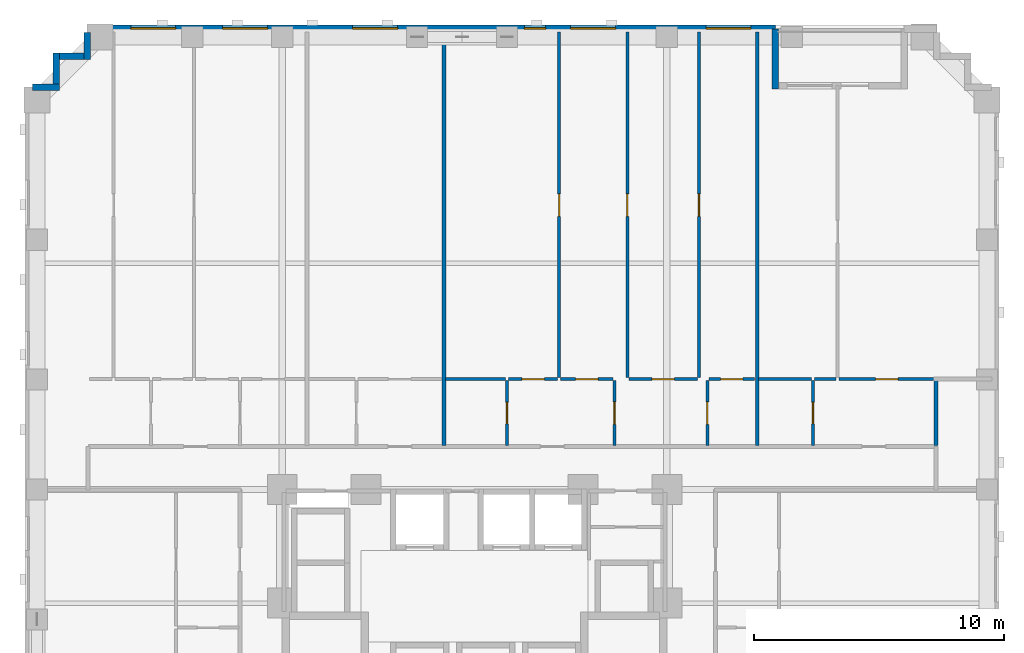
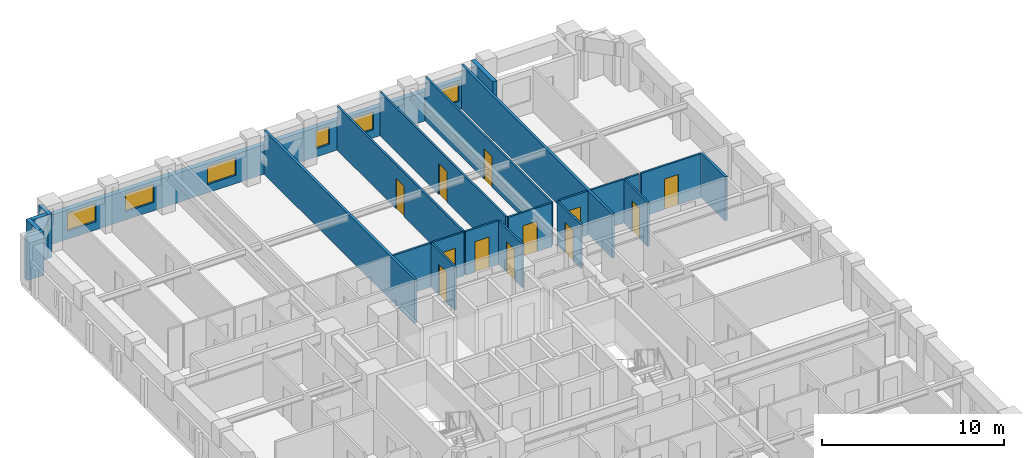
# One storey, part 8 of 14: 24 walls, 12 doors, 6 windows, 18 openings.
"""IFC4 building model written with IfcOpenShell, lengths in metres."""

from ifc_helpers import new_model, si_unit, derived_unit, direction, frame, frame_2d, origin, place, context, subcontext, project, spatial, rectangle, extrude, material, layer, layer_set, type_object, element, fill, save


model = new_model("IFC4")

# Units and contexts
model_context = context("Model", 3, precision=1e-05, world=origin(), true_north=direction((0.0, 1.0)))
body_context = subcontext(model_context, "Body", "Model", "MODEL_VIEW")
ifc_project = project(units=[si_unit("LENGTHUNIT", "METRE"), si_unit("AREAUNIT", "SQUARE_METRE"), si_unit("VOLUMEUNIT", "CUBIC_METRE"), si_unit("PLANEANGLEUNIT", "RADIAN"), si_unit("MASSUNIT", "GRAM", prefix="KILO"), derived_unit("THERMALTRANSMITTANCEUNIT", [(si_unit("MASSUNIT", "GRAM", prefix="KILO"), 1), (si_unit("TIMEUNIT", "SECOND"), -3), (si_unit("THERMODYNAMICTEMPERATUREUNIT", "KELVIN"), -1)])], contexts=[model_context])

# Site, building, storey
site_placement = place(None, origin())
site = spatial("IfcSite", under=ifc_project, at=site_placement, CompositionType="ELEMENT")
building_placement = place(site_placement, origin())
building = spatial("IfcBuilding", under=site, at=building_placement, Name="Korrvale Station Residences", CompositionType="ELEMENT")
storey_placement = place(building_placement, frame((0.0, 0.0, 57.800048828125)))
storey = spatial("IfcBuildingStorey", under=building, at=storey_placement, Name="L15", CompositionType="ELEMENT", Elevation=57.800048828125)

# Walls
ifc_material_1 = material(Name="Precast concrete C45/55", Category="concrete")
ifc_layer_1 = layer(ifc_material_1, 0.260009765625, Name="Precast concrete C45/55")
ifc_layer_set_1 = layer_set([ifc_layer_1], Name="Precast concrete C45/55")
wall_type_1 = type_object("IfcWallType", Name="WAL-EXT-LOG260", PredefinedType="SOLIDWALL", material=ifc_layer_set_1)
wall_1_placement = place(storey_placement, frame((37.550048828125, 47.43994140625, 0.0), z_axis=(0.0, 0.0, 1.0), x_axis=(0.0, -1.0, 0.0)))
element("IfcWall", 1, at=wall_1_placement, inside=storey, type_object=wall_type_1, Name="L15 Recessed Loggia Wall BAL-L15-N1-L", PredefinedType="SOLIDWALL", context=body_context, shape_type="SweptSolid", body=[
    extrude(rectangle(XDim=2.39990234375, YDim=0.260009765625, at=frame_2d((1.199951171875, 0.0))), origin(), (0.0, 0.0, 1.0), 2.93994140625),
])
wall_2_placement = place(storey_placement, frame((7.802001953125, 45.10009765625, 0.0), z_axis=(0.0, 0.0, 1.0), x_axis=(1.0, 0.0, 0.0)))
element("IfcWall", 2, at=wall_2_placement, inside=storey, type_object=wall_type_1, Name="L15 Serrated Corner Precast Step NW-1", PredefinedType="SOLIDWALL", context=body_context, shape_type="SweptSolid", body=[
    extrude(rectangle(XDim=1.077880859375, YDim=0.260009765625, at=frame_2d((0.5390625, 0.0))), origin(), (0.0, 0.0, 1.0), 2.93994140625),
])
wall_3_placement = place(storey_placement, frame((8.75, 45.23193359375, 0.0), z_axis=(0.0, 0.0, 1.0), x_axis=(0.0, 1.0, 0.0)))
element("IfcWall", 3, at=wall_3_placement, inside=storey, type_object=wall_type_1, Name="L15 Serrated Corner Precast Step NW-2", PredefinedType="SOLIDWALL", context=body_context, shape_type="SweptSolid", body=[
    extrude(rectangle(XDim=1.248046875, YDim=0.260009765625, at=frame_2d((0.6240234375, 0.0))), origin(), (0.0, 0.0, 1.0), 2.93994140625),
])
wall_4_placement = place(storey_placement, frame((8.882080078125, 46.35009765625, 0.0), z_axis=(0.0, 0.0, 1.0), x_axis=(1.0, 0.0, 0.0)))
element("IfcWall", 4, at=wall_4_placement, inside=storey, type_object=wall_type_1, Name="L15 Serrated Corner Precast Step NW-3", PredefinedType="SOLIDWALL", context=body_context, shape_type="SweptSolid", body=[
    extrude(rectangle(XDim=0.98583984375, YDim=0.260009765625, at=frame_2d((0.492919921875, 0.0))), origin(), (0.0, 0.0, 1.0), 2.93994140625),
])
wall_5_placement = place(storey_placement, frame((10.0, 46.219970703125, 0.0), z_axis=(0.0, 0.0, 1.0), x_axis=(0.0, 1.0, 0.0)))
element("IfcWall", 5, at=wall_5_placement, inside=storey, type_object=wall_type_1, Name="L15 Serrated Corner Precast Step NW-4", PredefinedType="SOLIDWALL", context=body_context, shape_type="SweptSolid", body=[
    extrude(rectangle(XDim=1.078125, YDim=0.260009765625, at=frame_2d((0.5390625, 0.0))), origin(), (0.0, 0.0, 1.0), 2.93994140625),
])

# Wall, openings, windows
ifc_layer_2 = layer(ifc_material_1, 0.300048828125, Name="Precast concrete C45/55")
ifc_layer_set_2 = layer_set([ifc_layer_2], Name="Precast concrete C45/55")
wall_type_2 = type_object("IfcWallType", Name="WAL-EXT-PC300", PredefinedType="SOLIDWALL", material=ifc_layer_set_2)
wall_6_placement = place(storey_placement, frame((10.0, 47.449951171875, 0.0), z_axis=(0.0, 0.0, 1.0), x_axis=(1.0, 0.0, 0.0)))
wall_6 = element("IfcWall", 6, at=wall_6_placement, inside=storey, type_object=wall_type_2, Name="L15 North Exterior Precast Wall 1", PredefinedType="SOLIDWALL", context=body_context, shape_type="SweptSolid", body=[
    extrude(rectangle(XDim=27.550048828125, YDim=0.300048828125, at=frame_2d((13.77490234375, 0.0))), origin(), (0.0, 0.0, 1.0), 1.974853515625),
])
opening_1_placement = place(wall_6_placement, frame((1.735107421875, 0.0, 0.550048828125)))
opening_1 = element("IfcOpeningElement", 7, at=opening_1_placement, cuts=wall_6, Name="Opening W-09", PredefinedType="OPENING", context=body_context, shape_type="SweptSolid", body=[
    extrude(rectangle(XDim=1.800048828125, YDim=1.199951171875, at=frame_2d((0.89990234375, 0.60009765625))), frame((0.0, 0.16015625, 0.0), z_axis=(0.0, -1.0, 0.0), x_axis=(1.0, 0.0, 0.0)), (0.0, 0.0, 1.0), 0.320068359375),
])
opening_2_placement = place(wall_6_placement, frame((5.4150390625, 0.0, 0.550048828125)))
opening_2 = element("IfcOpeningElement", 8, at=opening_2_placement, cuts=wall_6, Name="Opening W-09", PredefinedType="OPENING", context=body_context, shape_type="SweptSolid", body=[
    extrude(rectangle(XDim=1.800048828125, YDim=1.199951171875, at=frame_2d((0.89990234375, 0.60009765625))), frame((0.0, 0.16015625, 0.0), z_axis=(0.0, -1.0, 0.0), x_axis=(1.0, 0.0, 0.0)), (0.0, 0.0, 1.0), 0.320068359375),
])
opening_3_placement = place(wall_6_placement, frame((10.616943359375, 0.0, 0.550048828125)))
opening_3 = element("IfcOpeningElement", 9, at=opening_3_placement, cuts=wall_6, Name="Opening W-09", PredefinedType="OPENING", context=body_context, shape_type="SweptSolid", body=[
    extrude(rectangle(XDim=1.800048828125, YDim=1.199951171875, at=frame_2d((0.89990234375, 0.60009765625))), frame((0.0, 0.16015625, 0.0), z_axis=(0.0, -1.0, 0.0), x_axis=(1.0, 0.0, 0.0)), (0.0, 0.0, 1.0), 0.320068359375),
])
opening_4_placement = place(wall_6_placement, frame((17.5, 0.0, 0.550048828125)))
opening_4 = element("IfcOpeningElement", 10, at=opening_4_placement, cuts=wall_6, Name="Opening W-11", PredefinedType="OPENING", context=body_context, shape_type="SweptSolid", body=[
    extrude(rectangle(XDim=0.85009765625, YDim=1.199951171875, at=frame_2d((0.425048828125, 0.60009765625))), frame((0.0, 0.16015625, 0.0), z_axis=(0.0, -1.0, 0.0), x_axis=(1.0, 0.0, 0.0)), (0.0, 0.0, 1.0), 0.320068359375),
])
opening_5_placement = place(wall_6_placement, frame((19.34912109375, 0.0, 0.550048828125)))
opening_5 = element("IfcOpeningElement", 11, at=opening_5_placement, cuts=wall_6, Name="Opening W-09", PredefinedType="OPENING", context=body_context, shape_type="SweptSolid", body=[
    extrude(rectangle(XDim=1.800048828125, YDim=1.199951171875, at=frame_2d((0.89990234375, 0.60009765625))), frame((0.0, 0.16015625, 0.0), z_axis=(0.0, -1.0, 0.0), x_axis=(1.0, 0.0, 0.0)), (0.0, 0.0, 1.0), 0.320068359375),
])
opening_6_placement = place(wall_6_placement, frame((24.76904296875, 0.0, 0.550048828125)))
opening_6 = element("IfcOpeningElement", 12, at=opening_6_placement, cuts=wall_6, Name="Opening W-09", PredefinedType="OPENING", context=body_context, shape_type="SweptSolid", body=[
    extrude(rectangle(XDim=1.800048828125, YDim=1.199951171875, at=frame_2d((0.89990234375, 0.60009765625))), frame((0.0, 0.16015625, 0.0), z_axis=(0.0, -1.0, 0.0), x_axis=(1.0, 0.0, 0.0)), (0.0, 0.0, 1.0), 0.320068359375),
])
ifc_material_2 = material(Name="Thermally broken aluminium frame with triple low-e glazing", Category="aluminium")
window_type_1 = type_object("IfcWindowType", Name="WIN-W09", PartitioningType="DOUBLE_PANEL_VERTICAL", PredefinedType="WINDOW", material=ifc_material_2)
window_1_placement = place(opening_1_placement, origin())
window_1 = element("IfcWindow", 13, at=window_1_placement, inside=storey, type_object=window_type_1, Name="L15 Punched Window 15", OverallHeight=1.199951171875, OverallWidth=1.800048828125, PartitioningType="DOUBLE_PANEL_VERTICAL", PredefinedType="WINDOW", context=body_context, shape_type="SweptSolid", body=[
    extrude(rectangle(XDim=1.800048828125, YDim=1.199951171875, at=frame_2d((0.89990234375, 0.60009765625))), frame((0.0, 0.030029296875, 0.0), z_axis=(0.0, -1.0, 0.0), x_axis=(1.0, 0.0, 0.0)), (0.0, 0.0, 1.0), 0.06005859375),
])
fill(opening_1, window_1)
window_2_placement = place(opening_2_placement, origin())
window_2 = element("IfcWindow", 14, at=window_2_placement, inside=storey, type_object=window_type_1, Name="L15 Punched Window 16", OverallHeight=1.199951171875, OverallWidth=1.800048828125, PartitioningType="DOUBLE_PANEL_VERTICAL", PredefinedType="WINDOW", context=body_context, shape_type="SweptSolid", body=[
    extrude(rectangle(XDim=1.800048828125, YDim=1.199951171875, at=frame_2d((0.89990234375, 0.60009765625))), frame((0.0, 0.030029296875, 0.0), z_axis=(0.0, -1.0, 0.0), x_axis=(1.0, 0.0, 0.0)), (0.0, 0.0, 1.0), 0.06005859375),
])
fill(opening_2, window_2)
window_3_placement = place(opening_3_placement, origin())
window_3 = element("IfcWindow", 15, at=window_3_placement, inside=storey, type_object=window_type_1, Name="L15 Punched Window 17", OverallHeight=1.199951171875, OverallWidth=1.800048828125, PartitioningType="DOUBLE_PANEL_VERTICAL", PredefinedType="WINDOW", context=body_context, shape_type="SweptSolid", body=[
    extrude(rectangle(XDim=1.800048828125, YDim=1.199951171875, at=frame_2d((0.89990234375, 0.60009765625))), frame((0.0, 0.030029296875, 0.0), z_axis=(0.0, -1.0, 0.0), x_axis=(1.0, 0.0, 0.0)), (0.0, 0.0, 1.0), 0.06005859375),
])
fill(opening_3, window_3)
window_4_placement = place(opening_5_placement, origin())
window_4 = element("IfcWindow", 16, at=window_4_placement, inside=storey, type_object=window_type_1, Name="L15 Punched Window 19", OverallHeight=1.199951171875, OverallWidth=1.800048828125, PartitioningType="DOUBLE_PANEL_VERTICAL", PredefinedType="WINDOW", context=body_context, shape_type="SweptSolid", body=[
    extrude(rectangle(XDim=1.800048828125, YDim=1.199951171875, at=frame_2d((0.89990234375, 0.60009765625))), frame((0.0, 0.030029296875, 0.0), z_axis=(0.0, -1.0, 0.0), x_axis=(1.0, 0.0, 0.0)), (0.0, 0.0, 1.0), 0.06005859375),
])
fill(opening_5, window_4)
window_5_placement = place(opening_6_placement, origin())
window_5 = element("IfcWindow", 17, at=window_5_placement, inside=storey, type_object=window_type_1, Name="L15 Punched Window 20", OverallHeight=1.199951171875, OverallWidth=1.800048828125, PartitioningType="DOUBLE_PANEL_VERTICAL", PredefinedType="WINDOW", context=body_context, shape_type="SweptSolid", body=[
    extrude(rectangle(XDim=1.800048828125, YDim=1.199951171875, at=frame_2d((0.89990234375, 0.60009765625))), frame((0.0, 0.030029296875, 0.0), z_axis=(0.0, -1.0, 0.0), x_axis=(1.0, 0.0, 0.0)), (0.0, 0.0, 1.0), 0.06005859375),
])
fill(opening_6, window_5)
window_type_2 = type_object("IfcWindowType", Name="WIN-W11", PartitioningType="SINGLE_PANEL", PredefinedType="WINDOW", material=ifc_material_2)
window_6_placement = place(opening_4_placement, origin())
window_6 = element("IfcWindow", 18, at=window_6_placement, inside=storey, type_object=window_type_2, Name="L15 Punched Window 18", OverallHeight=1.199951171875, OverallWidth=0.85009765625, PartitioningType="SINGLE_PANEL", PredefinedType="WINDOW", context=body_context, shape_type="SweptSolid", body=[
    extrude(rectangle(XDim=0.85009765625, YDim=1.199951171875, at=frame_2d((0.425048828125, 0.60009765625))), frame((0.0, 0.030029296875, 0.0), z_axis=(0.0, -1.0, 0.0), x_axis=(1.0, 0.0, 0.0)), (0.0, 0.0, 1.0), 0.06005859375),
])
fill(opening_4, window_6)

# Wall, opening, door
ifc_material_3 = material(Name="Acoustic steel-stud gypsum board partition", Category="steel")
ifc_layer_3 = layer(ifc_material_3, 0.1201171875, Name="Acoustic steel-stud gypsum board partition")
ifc_layer_set_3 = layer_set([ifc_layer_3], Name="Acoustic steel-stud gypsum board partition")
wall_type_3 = type_object("IfcWallType", Name="WAL-PART-125", PredefinedType="PARTITIONING", material=ifc_layer_set_3)
wall_7_placement = place(storey_placement, frame((26.799072265625, 30.760009765625, 0.0), z_axis=(0.0, 0.0, 1.0), x_axis=(0.0, 1.0, 0.0)))
wall_7 = element("IfcWall", 19, at=wall_7_placement, inside=storey, type_object=wall_type_3, Name="L15 Suite Partition U07-V01", PredefinedType="PARTITIONING", context=body_context, shape_type="SweptSolid", body=[
    extrude(rectangle(XDim=2.60009765625, YDim=0.1201171875, at=frame_2d((1.300048828125, 0.0))), origin(), (0.0, 0.0, 1.0), 2.93994140625),
])
opening_7_placement = place(wall_7_placement, frame((0.8701171875, 0.0, 0.0)))
opening_7 = element("IfcOpeningElement", 20, at=opening_7_placement, cuts=wall_7, Name="Opening DB-860", PredefinedType="OPENING", context=body_context, shape_type="SweptSolid", body=[
    extrude(rectangle(XDim=0.860107421875, YDim=2.050048828125, at=frame_2d((0.43017578125, 1.02490234375))), frame((0.0, 0.070068359375, 0.0), z_axis=(0.0, -1.0, 0.0), x_axis=(1.0, 0.0, 0.0)), (0.0, 0.0, 1.0), 0.14013671875),
])
ifc_material_4 = material(Name="Moisture-resistant solid-core bathroom door", Category="timber")
door_type_1 = type_object("IfcDoorType", Name="DR-BATH-860", OperationType="NOTDEFINED", PredefinedType="DOOR", material=ifc_material_4)
door_1_placement = place(opening_7_placement, origin())
door_1 = element("IfcDoor", 21, at=door_1_placement, inside=storey, type_object=door_type_1, Name="L15 Apartment 1BR L15-U07 Bathroom Door", OperationType="SINGLE_SWING_RIGHT", OverallHeight=2.050048828125, OverallWidth=0.860107421875, PredefinedType="DOOR", context=body_context, shape_type="SweptSolid", body=[
    extrude(rectangle(XDim=0.860107421875, YDim=2.050048828125, at=frame_2d((0.43017578125, 1.02490234375))), frame((0.0, 0.02490234375, 0.0), z_axis=(0.0, -1.0, 0.0), x_axis=(1.0, 0.0, 0.0)), (0.0, 0.0, 1.0), 0.050048828125),
])
fill(opening_7, door_1)

# Wall
wall_8_placement = place(storey_placement, frame((24.339111328125, 33.419921875, 0.0), z_axis=(0.0, 0.0, 1.0), x_axis=(1.0, 0.0, 0.0)))
element("IfcWall", 22, at=wall_8_placement, inside=storey, type_object=wall_type_3, Name="L15 Suite Partition U07-H04", PredefinedType="PARTITIONING", context=body_context, shape_type="SweptSolid", body=[
    extrude(rectangle(XDim=2.39990234375, YDim=0.1201171875, at=frame_2d((1.199951171875, 0.0))), origin(), (0.0, 0.0, 1.0), 2.93994140625),
])

# Wall, opening, door
wall_9_placement = place(storey_placement, frame((31.09912109375, 30.760009765625, 0.0), z_axis=(0.0, 0.0, 1.0), x_axis=(0.0, 1.0, 0.0)))
wall_9 = element("IfcWall", 23, at=wall_9_placement, inside=storey, type_object=wall_type_3, Name="L15 Suite Partition U07-V12", PredefinedType="PARTITIONING", context=body_context, shape_type="SweptSolid", body=[
    extrude(rectangle(XDim=2.60009765625, YDim=0.1201171875, at=frame_2d((1.300048828125, 0.0))), origin(), (0.0, 0.0, 1.0), 2.93994140625),
])
opening_8_placement = place(wall_9_placement, frame((0.85009765625, 0.0, 0.0)))
opening_8 = element("IfcOpeningElement", 24, at=opening_8_placement, cuts=wall_9, Name="Opening DI-900", PredefinedType="OPENING", context=body_context, shape_type="SweptSolid", body=[
    extrude(rectangle(XDim=0.89990234375, YDim=2.050048828125, at=frame_2d((0.449951171875, 1.02490234375))), frame((0.0, 0.070068359375, 0.0), z_axis=(0.0, -1.0, 0.0), x_axis=(1.0, 0.0, 0.0)), (0.0, 0.0, 1.0), 0.14013671875),
])
ifc_material_5 = material(Name="Painted solid-core timber interior room door", Category="wood")
door_type_2 = type_object("IfcDoorType", Name="DR-INT-900", OperationType="NOTDEFINED", PredefinedType="DOOR", material=ifc_material_5)
door_2_placement = place(opening_8_placement, origin())
door_2 = element("IfcDoor", 25, at=door_2_placement, inside=storey, type_object=door_type_2, Name="L15 Apartment 1BR L15-U07 Kitchen Door", OperationType="SINGLE_SWING_LEFT", OverallHeight=2.050048828125, OverallWidth=0.89990234375, PredefinedType="DOOR", context=body_context, shape_type="SweptSolid", body=[
    extrude(rectangle(XDim=0.89990234375, YDim=2.050048828125, at=frame_2d((0.449951171875, 1.02490234375))), frame((0.0, 0.02490234375, 0.0), z_axis=(0.0, -1.0, 0.0), x_axis=(1.0, 0.0, 0.0)), (0.0, 0.0, 1.0), 0.050048828125),
])
fill(opening_8, door_2)

wall_10_placement = place(storey_placement, frame((26.85888671875, 33.419921875, 0.0), z_axis=(0.0, 0.0, 1.0), x_axis=(1.0, 0.0, 0.0)))
wall_10 = element("IfcWall", 26, at=wall_10_placement, inside=storey, type_object=wall_type_3, Name="L15 Suite Partition U07-H14", PredefinedType="PARTITIONING", context=body_context, shape_type="SweptSolid", body=[
    extrude(rectangle(XDim=1.97021484375, YDim=0.1201171875, at=frame_2d((0.985107421875, 0.0))), origin(), (0.0, 0.0, 1.0), 2.93994140625),
])
opening_9_placement = place(wall_10_placement, frame((0.534912109375, 0.0, 0.0)))
opening_9 = element("IfcOpeningElement", 27, at=opening_9_placement, cuts=wall_10, Name="Opening DI-900", PredefinedType="OPENING", context=body_context, shape_type="SweptSolid", body=[
    extrude(rectangle(XDim=0.89990234375, YDim=2.050048828125, at=frame_2d((0.449951171875, 1.02490234375))), frame((0.0, 0.070068359375, 0.0), z_axis=(0.0, -1.0, 0.0), x_axis=(1.0, 0.0, 0.0)), (0.0, 0.0, 1.0), 0.14013671875),
])
door_3_placement = place(opening_9_placement, origin())
door_3 = element("IfcDoor", 28, at=door_3_placement, inside=storey, type_object=door_type_2, Name="L15 Apartment 1BR L15-U07 Kitchen Door", OperationType="SINGLE_SWING_RIGHT", OverallHeight=2.050048828125, OverallWidth=0.89990234375, PredefinedType="DOOR", context=body_context, shape_type="SweptSolid", body=[
    extrude(rectangle(XDim=0.89990234375, YDim=2.050048828125, at=frame_2d((0.449951171875, 1.02490234375))), frame((0.0, 0.02490234375, 0.0), z_axis=(0.0, -1.0, 0.0), x_axis=(1.0, 0.0, 0.0)), (0.0, 0.0, 1.0), 0.050048828125),
])
fill(opening_9, door_3)

wall_11_placement = place(storey_placement, frame((28.948974609375, 33.419921875, 0.0), z_axis=(0.0, 0.0, 1.0), x_axis=(1.0, 0.0, 0.0)))
wall_11 = element("IfcWall", 29, at=wall_11_placement, inside=storey, type_object=wall_type_3, Name="L15 Suite Partition U07-H15", PredefinedType="PARTITIONING", context=body_context, shape_type="SweptSolid", body=[
    extrude(rectangle(XDim=2.090087890625, YDim=0.1201171875, at=frame_2d((1.044921875, 0.0))), origin(), (0.0, 0.0, 1.0), 2.93994140625),
])
opening_10_placement = place(wall_11_placement, frame((0.594970703125, 0.0, 0.0)))
opening_10 = element("IfcOpeningElement", 30, at=opening_10_placement, cuts=wall_11, Name="Opening DI-900", PredefinedType="OPENING", context=body_context, shape_type="SweptSolid", body=[
    extrude(rectangle(XDim=0.89990234375, YDim=2.050048828125, at=frame_2d((0.449951171875, 1.02490234375))), frame((0.0, 0.070068359375, 0.0), z_axis=(0.0, -1.0, 0.0), x_axis=(1.0, 0.0, 0.0)), (0.0, 0.0, 1.0), 0.14013671875),
])
door_4_placement = place(opening_10_placement, origin())
door_4 = element("IfcDoor", 31, at=door_4_placement, inside=storey, type_object=door_type_2, Name="L15 Apartment 1BR L15-U07 Kitchen Door", OperationType="SINGLE_SWING_LEFT", OverallHeight=2.050048828125, OverallWidth=0.89990234375, PredefinedType="DOOR", context=body_context, shape_type="SweptSolid", body=[
    extrude(rectangle(XDim=0.89990234375, YDim=2.050048828125, at=frame_2d((0.449951171875, 1.02490234375))), frame((0.0, 0.02490234375, 0.0), z_axis=(0.0, -1.0, 0.0), x_axis=(1.0, 0.0, 0.0)), (0.0, 0.0, 1.0), 0.050048828125),
])
fill(opening_10, door_4)

wall_12_placement = place(storey_placement, frame((34.819091796875, 30.760009765625, 0.0), z_axis=(0.0, 0.0, 1.0), x_axis=(0.0, 1.0, 0.0)))
wall_12 = element("IfcWall", 32, at=wall_12_placement, inside=storey, type_object=wall_type_3, Name="L15 Suite Partition U07-V23", PredefinedType="PARTITIONING", context=body_context, shape_type="SweptSolid", body=[
    extrude(rectangle(XDim=2.60009765625, YDim=0.1201171875, at=frame_2d((1.300048828125, 0.0))), origin(), (0.0, 0.0, 1.0), 2.93994140625),
])
opening_11_placement = place(wall_12_placement, frame((0.85009765625, 0.0, 0.0)))
opening_11 = element("IfcOpeningElement", 33, at=opening_11_placement, cuts=wall_12, Name="Opening DI-900", PredefinedType="OPENING", context=body_context, shape_type="SweptSolid", body=[
    extrude(rectangle(XDim=0.89990234375, YDim=2.050048828125, at=frame_2d((0.449951171875, 1.02490234375))), frame((0.0, 0.070068359375, 0.0), z_axis=(0.0, -1.0, 0.0), x_axis=(1.0, 0.0, 0.0)), (0.0, 0.0, 1.0), 0.14013671875),
])
door_5_placement = place(opening_11_placement, origin())
door_5 = element("IfcDoor", 34, at=door_5_placement, inside=storey, type_object=door_type_2, Name="L15 Apartment 1BR L15-U07 Utility and Laundry Room Door", OperationType="SINGLE_SWING_RIGHT", OverallHeight=2.050048828125, OverallWidth=0.89990234375, PredefinedType="DOOR", context=body_context, shape_type="SweptSolid", body=[
    extrude(rectangle(XDim=0.89990234375, YDim=2.050048828125, at=frame_2d((0.449951171875, 1.02490234375))), frame((0.0, 0.02490234375, 0.0), z_axis=(0.0, -1.0, 0.0), x_axis=(1.0, 0.0, 0.0)), (0.0, 0.0, 1.0), 0.050048828125),
])
fill(opening_11, door_5)

wall_13_placement = place(storey_placement, frame((31.676025390625, 33.419921875, 0.0), z_axis=(0.0, 0.0, 1.0), x_axis=(1.0, 0.0, 0.0)))
wall_13 = element("IfcWall", 35, at=wall_13_placement, inside=storey, type_object=wall_type_3, Name="L15 Suite Partition U07-H26", PredefinedType="PARTITIONING", context=body_context, shape_type="SweptSolid", body=[
    extrude(rectangle(XDim=2.751953125, YDim=0.1201171875, at=frame_2d((1.3759765625, 0.0))), origin(), (0.0, 0.0, 1.0), 2.93994140625),
])
opening_12_placement = place(wall_13_placement, frame((0.926025390625, 0.0, 0.0)))
opening_12 = element("IfcOpeningElement", 36, at=opening_12_placement, cuts=wall_13, Name="Opening DI-900", PredefinedType="OPENING", context=body_context, shape_type="SweptSolid", body=[
    extrude(rectangle(XDim=0.89990234375, YDim=2.050048828125, at=frame_2d((0.449951171875, 1.02490234375))), frame((0.0, 0.070068359375, 0.0), z_axis=(0.0, -1.0, 0.0), x_axis=(1.0, 0.0, 0.0)), (0.0, 0.0, 1.0), 0.14013671875),
])
door_6_placement = place(opening_12_placement, origin())
door_6 = element("IfcDoor", 37, at=door_6_placement, inside=storey, type_object=door_type_2, Name="L15 Apartment 1BR L15-U07 Utility and Laundry Room Door", OperationType="SINGLE_SWING_LEFT", OverallHeight=2.050048828125, OverallWidth=0.89990234375, PredefinedType="DOOR", context=body_context, shape_type="SweptSolid", body=[
    extrude(rectangle(XDim=0.89990234375, YDim=2.050048828125, at=frame_2d((0.449951171875, 1.02490234375))), frame((0.0, 0.02490234375, 0.0), z_axis=(0.0, -1.0, 0.0), x_axis=(1.0, 0.0, 0.0)), (0.0, 0.0, 1.0), 0.050048828125),
])
fill(opening_12, door_6)

wall_14_placement = place(storey_placement, frame((34.87890625, 33.419921875, 0.0), z_axis=(0.0, 0.0, 1.0), x_axis=(1.0, 0.0, 0.0)))
wall_14 = element("IfcWall", 38, at=wall_14_placement, inside=storey, type_object=wall_type_3, Name="L15 Suite Partition U07-H37", PredefinedType="PARTITIONING", context=body_context, shape_type="SweptSolid", body=[
    extrude(rectangle(XDim=1.841064453125, YDim=0.1201171875, at=frame_2d((0.92041015625, 0.0))), origin(), (0.0, 0.0, 1.0), 2.93994140625),
])
opening_13_placement = place(wall_14_placement, frame((0.469970703125, 0.0, 0.0)))
opening_13 = element("IfcOpeningElement", 39, at=opening_13_placement, cuts=wall_14, Name="Opening DI-900", PredefinedType="OPENING", context=body_context, shape_type="SweptSolid", body=[
    extrude(rectangle(XDim=0.89990234375, YDim=2.050048828125, at=frame_2d((0.449951171875, 1.02490234375))), frame((0.0, 0.070068359375, 0.0), z_axis=(0.0, -1.0, 0.0), x_axis=(1.0, 0.0, 0.0)), (0.0, 0.0, 1.0), 0.14013671875),
])
door_7_placement = place(opening_13_placement, origin())
door_7 = element("IfcDoor", 40, at=door_7_placement, inside=storey, type_object=door_type_2, Name="L15 Apartment 1BR L15-U07 Storage Closet 2 Door", OperationType="SINGLE_SWING_RIGHT", OverallHeight=2.050048828125, OverallWidth=0.89990234375, PredefinedType="DOOR", context=body_context, shape_type="SweptSolid", body=[
    extrude(rectangle(XDim=0.89990234375, YDim=2.050048828125, at=frame_2d((0.449951171875, 1.02490234375))), frame((0.0, 0.02490234375, 0.0), z_axis=(0.0, -1.0, 0.0), x_axis=(1.0, 0.0, 0.0)), (0.0, 0.0, 1.0), 0.050048828125),
])
fill(opening_13, door_7)

wall_15_placement = place(storey_placement, frame((28.888916015625, 33.47998046875, 0.0), z_axis=(0.0, 0.0, 1.0), x_axis=(0.0, 1.0, 0.0)))
wall_15 = element("IfcWall", 41, at=wall_15_placement, inside=storey, type_object=wall_type_3, Name="L15 Suite Partition U07-V45", PredefinedType="PARTITIONING", context=body_context, shape_type="SweptSolid", body=[
    extrude(rectangle(XDim=13.840087890625, YDim=0.1201171875, at=frame_2d((6.919921875, 0.0))), origin(), (0.0, 0.0, 1.0), 2.93994140625),
])
opening_14_placement = place(wall_15_placement, frame((6.455078125, 0.0, 0.0)))
opening_14 = element("IfcOpeningElement", 42, at=opening_14_placement, cuts=wall_15, Name="Opening DI-900", PredefinedType="OPENING", context=body_context, shape_type="SweptSolid", body=[
    extrude(rectangle(XDim=0.89990234375, YDim=2.050048828125, at=frame_2d((0.449951171875, 1.02490234375))), frame((0.0, 0.070068359375, 0.0), z_axis=(0.0, -1.0, 0.0), x_axis=(1.0, 0.0, 0.0)), (0.0, 0.0, 1.0), 0.14013671875),
])
door_8_placement = place(opening_14_placement, origin())
door_8 = element("IfcDoor", 43, at=door_8_placement, inside=storey, type_object=door_type_2, Name="L15 Apartment 1BR L15-U07 Living and Dining Room Door", OperationType="SINGLE_SWING_LEFT", OverallHeight=2.050048828125, OverallWidth=0.89990234375, PredefinedType="DOOR", context=body_context, shape_type="SweptSolid", body=[
    extrude(rectangle(XDim=0.89990234375, YDim=2.050048828125, at=frame_2d((0.449951171875, 1.02490234375))), frame((0.0, 0.02490234375, 0.0), z_axis=(0.0, -1.0, 0.0), x_axis=(1.0, 0.0, 0.0)), (0.0, 0.0, 1.0), 0.050048828125),
])
fill(opening_14, door_8)

wall_16_placement = place(storey_placement, frame((31.615966796875, 33.47998046875, 0.0), z_axis=(0.0, 0.0, 1.0), x_axis=(0.0, 1.0, 0.0)))
wall_16 = element("IfcWall", 44, at=wall_16_placement, inside=storey, type_object=wall_type_3, Name="L15 Suite Partition U07-V56", PredefinedType="PARTITIONING", context=body_context, shape_type="SweptSolid", body=[
    extrude(rectangle(XDim=13.840087890625, YDim=0.1201171875, at=frame_2d((6.919921875, 0.0))), origin(), (0.0, 0.0, 1.0), 2.93994140625),
])
opening_15_placement = place(wall_16_placement, frame((6.455078125, 0.0, 0.0)))
opening_15 = element("IfcOpeningElement", 45, at=opening_15_placement, cuts=wall_16, Name="Opening DI-900", PredefinedType="OPENING", context=body_context, shape_type="SweptSolid", body=[
    extrude(rectangle(XDim=0.89990234375, YDim=2.050048828125, at=frame_2d((0.449951171875, 1.02490234375))), frame((0.0, 0.070068359375, 0.0), z_axis=(0.0, -1.0, 0.0), x_axis=(1.0, 0.0, 0.0)), (0.0, 0.0, 1.0), 0.14013671875),
])
door_9_placement = place(opening_15_placement, origin())
door_9 = element("IfcDoor", 46, at=door_9_placement, inside=storey, type_object=door_type_2, Name="L15 Apartment 1BR L15-U07 Formal Dining Room Door", OperationType="SINGLE_SWING_RIGHT", OverallHeight=2.050048828125, OverallWidth=0.89990234375, PredefinedType="DOOR", context=body_context, shape_type="SweptSolid", body=[
    extrude(rectangle(XDim=0.89990234375, YDim=2.050048828125, at=frame_2d((0.449951171875, 1.02490234375))), frame((0.0, 0.02490234375, 0.0), z_axis=(0.0, -1.0, 0.0), x_axis=(1.0, 0.0, 0.0)), (0.0, 0.0, 1.0), 0.050048828125),
])
fill(opening_15, door_9)

wall_17_placement = place(storey_placement, frame((34.488037109375, 33.47998046875, 0.0), z_axis=(0.0, 0.0, 1.0), x_axis=(0.0, 1.0, 0.0)))
wall_17 = element("IfcWall", 47, at=wall_17_placement, inside=storey, type_object=wall_type_3, Name="L15 Suite Partition U07-V67", PredefinedType="PARTITIONING", context=body_context, shape_type="SweptSolid", body=[
    extrude(rectangle(XDim=13.840087890625, YDim=0.1201171875, at=frame_2d((6.919921875, 0.0))), origin(), (0.0, 0.0, 1.0), 2.93994140625),
])
opening_16_placement = place(wall_17_placement, frame((6.455078125, 0.0, 0.0)))
opening_16 = element("IfcOpeningElement", 48, at=opening_16_placement, cuts=wall_17, Name="Opening DI-900", PredefinedType="OPENING", context=body_context, shape_type="SweptSolid", body=[
    extrude(rectangle(XDim=0.89990234375, YDim=2.050048828125, at=frame_2d((0.449951171875, 1.02490234375))), frame((0.0, 0.070068359375, 0.0), z_axis=(0.0, -1.0, 0.0), x_axis=(1.0, 0.0, 0.0)), (0.0, 0.0, 1.0), 0.14013671875),
])
door_10_placement = place(opening_16_placement, origin())
door_10 = element("IfcDoor", 49, at=door_10_placement, inside=storey, type_object=door_type_2, Name="L15 Apartment 1BR L15-U07 Wardrobe Storage Room Door", OperationType="SINGLE_SWING_LEFT", OverallHeight=2.050048828125, OverallWidth=0.89990234375, PredefinedType="DOOR", context=body_context, shape_type="SweptSolid", body=[
    extrude(rectangle(XDim=0.89990234375, YDim=2.050048828125, at=frame_2d((0.449951171875, 1.02490234375))), frame((0.0, 0.02490234375, 0.0), z_axis=(0.0, -1.0, 0.0), x_axis=(1.0, 0.0, 0.0)), (0.0, 0.0, 1.0), 0.050048828125),
])
fill(opening_16, door_10)

wall_18_placement = place(storey_placement, frame((39.052001953125, 30.760009765625, 0.0), z_axis=(0.0, 0.0, 1.0), x_axis=(0.0, 1.0, 0.0)))
wall_18 = element("IfcWall", 50, at=wall_18_placement, inside=storey, type_object=wall_type_3, Name="L15 Suite Partition U08-V01", PredefinedType="PARTITIONING", context=body_context, shape_type="SweptSolid", body=[
    extrude(rectangle(XDim=2.60009765625, YDim=0.1201171875, at=frame_2d((1.300048828125, 0.0))), origin(), (0.0, 0.0, 1.0), 2.93994140625),
])
opening_17_placement = place(wall_18_placement, frame((0.8701171875, 0.0, 0.0)))
opening_17 = element("IfcOpeningElement", 51, at=opening_17_placement, cuts=wall_18, Name="Opening DB-860", PredefinedType="OPENING", context=body_context, shape_type="SweptSolid", body=[
    extrude(rectangle(XDim=0.860107421875, YDim=2.050048828125, at=frame_2d((0.43017578125, 1.02490234375))), frame((0.0, 0.070068359375, 0.0), z_axis=(0.0, -1.0, 0.0), x_axis=(1.0, 0.0, 0.0)), (0.0, 0.0, 1.0), 0.14013671875),
])
door_11_placement = place(opening_17_placement, origin())
door_11 = element("IfcDoor", 52, at=door_11_placement, inside=storey, type_object=door_type_1, Name="L15 Studio Apartment L15-U08 Bathroom Door", OperationType="SINGLE_SWING_RIGHT", OverallHeight=2.050048828125, OverallWidth=0.860107421875, PredefinedType="DOOR", context=body_context, shape_type="SweptSolid", body=[
    extrude(rectangle(XDim=0.860107421875, YDim=2.050048828125, at=frame_2d((0.43017578125, 1.02490234375))), frame((0.0, 0.02490234375, 0.0), z_axis=(0.0, -1.0, 0.0), x_axis=(1.0, 0.0, 0.0)), (0.0, 0.0, 1.0), 0.050048828125),
])
fill(opening_17, door_11)

# Walls
wall_19_placement = place(storey_placement, frame((36.8798828125, 33.419921875, 0.0), z_axis=(0.0, 0.0, 1.0), x_axis=(1.0, 0.0, 0.0)))
element("IfcWall", 53, at=wall_19_placement, inside=storey, type_object=wall_type_3, Name="L15 Suite Partition U08-H02", PredefinedType="PARTITIONING", context=body_context, shape_type="SweptSolid", body=[
    extrude(rectangle(XDim=2.112060546875, YDim=0.1201171875, at=frame_2d((1.05615234375, 0.0))), origin(), (0.0, 0.0, 1.0), 2.93994140625),
])
wall_20_placement = place(storey_placement, frame((39.112060546875, 33.419921875, 0.0), z_axis=(0.0, 0.0, 1.0), x_axis=(1.0, 0.0, 0.0)))
element("IfcWall", 54, at=wall_20_placement, inside=storey, type_object=wall_type_3, Name="L15 Suite Partition U08-H12", PredefinedType="PARTITIONING", context=body_context, shape_type="SweptSolid", body=[
    extrude(rectangle(XDim=0.867919921875, YDim=0.1201171875, at=frame_2d((0.43408203125, 0.0))), origin(), (0.0, 0.0, 1.0), 2.93994140625),
])

# Wall, opening, door
wall_21_placement = place(storey_placement, frame((40.10009765625, 33.419921875, 0.0), z_axis=(0.0, 0.0, 1.0), x_axis=(1.0, 0.0, 0.0)))
wall_21 = element("IfcWall", 55, at=wall_21_placement, inside=storey, type_object=wall_type_3, Name="L15 Suite Partition U08-H13", PredefinedType="PARTITIONING", context=body_context, shape_type="SweptSolid", body=[
    extrude(rectangle(XDim=3.81982421875, YDim=0.1201171875, at=frame_2d((1.909912109375, 0.0))), origin(), (0.0, 0.0, 1.0), 2.93994140625),
])
opening_18_placement = place(wall_21_placement, frame((1.4599609375, 0.0, 0.0)))
opening_18 = element("IfcOpeningElement", 56, at=opening_18_placement, cuts=wall_21, Name="Opening DI-900", PredefinedType="OPENING", context=body_context, shape_type="SweptSolid", body=[
    extrude(rectangle(XDim=0.89990234375, YDim=2.050048828125, at=frame_2d((0.449951171875, 1.02490234375))), frame((0.0, 0.070068359375, 0.0), z_axis=(0.0, -1.0, 0.0), x_axis=(1.0, 0.0, 0.0)), (0.0, 0.0, 1.0), 0.14013671875),
])
door_12_placement = place(opening_18_placement, origin())
door_12 = element("IfcDoor", 57, at=door_12_placement, inside=storey, type_object=door_type_2, Name="L15 Studio Apartment L15-U08 Kitchen Door", OperationType="SINGLE_SWING_LEFT", OverallHeight=2.050048828125, OverallWidth=0.89990234375, PredefinedType="DOOR", context=body_context, shape_type="SweptSolid", body=[
    extrude(rectangle(XDim=0.89990234375, YDim=2.050048828125, at=frame_2d((0.449951171875, 1.02490234375))), frame((0.0, 0.02490234375, 0.0), z_axis=(0.0, -1.0, 0.0), x_axis=(1.0, 0.0, 0.0)), (0.0, 0.0, 1.0), 0.050048828125),
])
fill(opening_18, door_12)

# Walls
ifc_material_6 = material(Name="Fire-rated twin-stud gypsum and mineral wool shaftwall assembly", Category="gypsum")
ifc_layer_4 = layer(ifc_material_6, 0.159912109375, Name="Fire-rated twin-stud gypsum and mineral wool shaftwall assembly")
ifc_layer_set_4 = layer_set([ifc_layer_4], Name="Fire-rated twin-stud gypsum and mineral wool shaftwall assembly")
wall_type_4 = type_object("IfcWallType", Name="WAL-PART-200", PredefinedType="PARTITIONING", material=ifc_layer_set_4)
wall_22_placement = place(storey_placement, frame((24.279052734375, 30.760009765625, 0.0), z_axis=(0.0, 0.0, 1.0), x_axis=(0.0, 1.0, 0.0)))
element("IfcWall", 58, at=wall_22_placement, inside=storey, type_object=wall_type_4, Name="L15 Demising Wall U07-W", PredefinedType="PARTITIONING", context=body_context, shape_type="SweptSolid", body=[
    extrude(rectangle(XDim=16.56005859375, YDim=0.159912109375, at=frame_2d((8.280029296875, 0.0))), origin(), (0.0, 0.0, 1.0), 2.93994140625),
])
wall_23_placement = place(storey_placement, frame((43.97998046875, 30.760009765625, 0.0), z_axis=(0.0, 0.0, 1.0), x_axis=(0.0, 1.0, 0.0)))
element("IfcWall", 59, at=wall_23_placement, inside=storey, type_object=wall_type_4, Name="L15 Corner Step Cheek U08-R", PredefinedType="PARTITIONING", context=body_context, shape_type="SweptSolid", body=[
    extrude(rectangle(XDim=2.659912109375, YDim=0.159912109375, at=frame_2d((1.330078125, 0.0))), origin(), (0.0, 0.0, 1.0), 2.93994140625),
])
wall_24_placement = place(storey_placement, frame((36.820068359375, 30.760009765625, 0.0), z_axis=(0.0, 0.0, 1.0), x_axis=(0.0, 1.0, 0.0)))
element("IfcWall", 60, at=wall_24_placement, inside=storey, type_object=wall_type_4, Name="L15 Demising Wall U08-W", PredefinedType="PARTITIONING", context=body_context, shape_type="SweptSolid", body=[
    extrude(rectangle(XDim=16.56005859375, YDim=0.159912109375, at=frame_2d((8.280029296875, 0.0))), origin(), (0.0, 0.0, 1.0), 2.93994140625),
])

save(model, "model.ifc")
